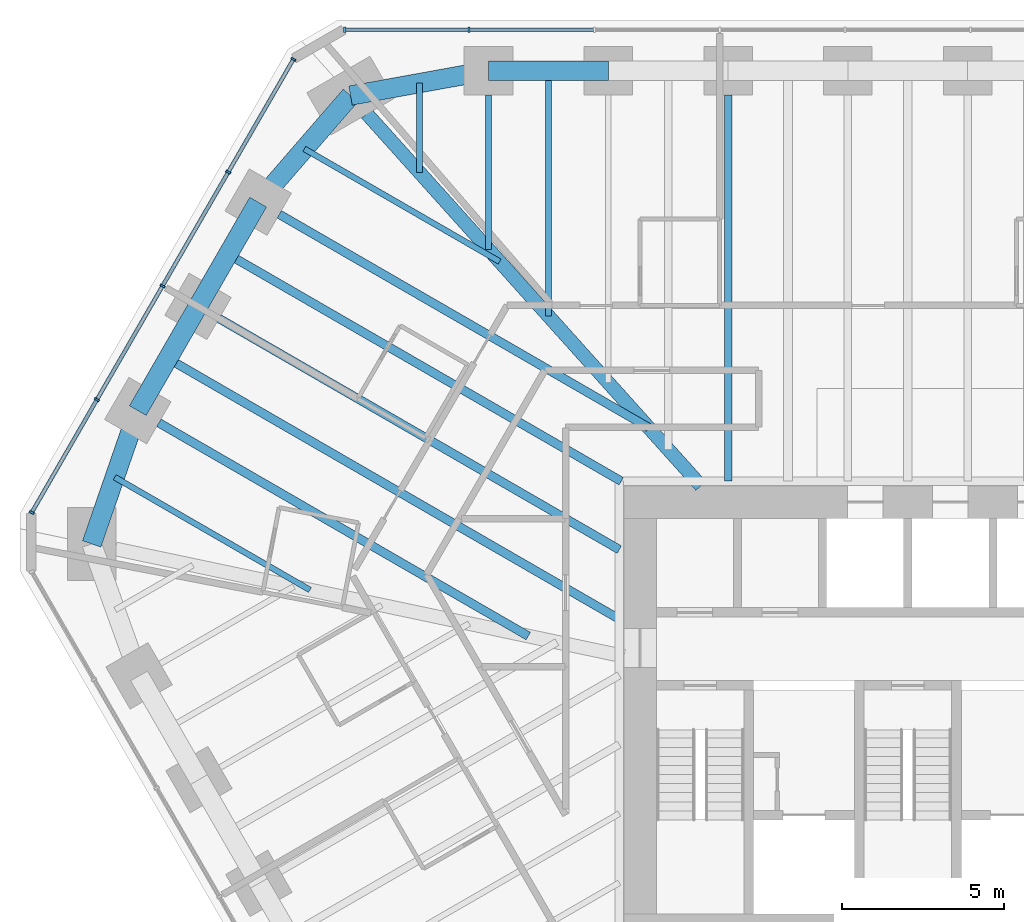
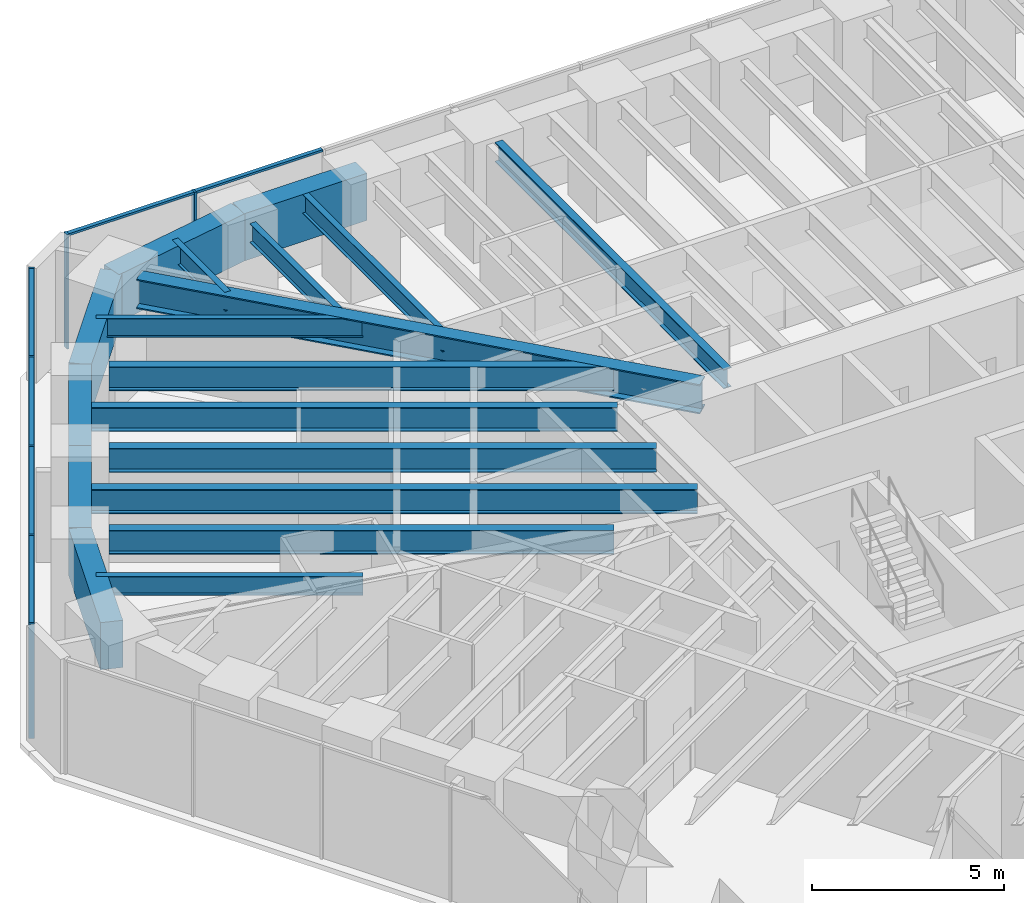
# One storey, part 7 of 17: 18 beams, 13 members, 2 elements without a shape of their own.
"""IFC4 building model written with IfcOpenShell, lengths in metres."""

from ifc_helpers import new_model, si_unit, direction, frame, origin, origin_2d, place, context, subcontext, project, spatial, rectangle, i_section, extrude, material, material_profile, profile_set, type_object, element, aggregate, save


model = new_model("IFC4")

# Units and contexts
model_context = context("Model", 3, precision=1e-05, world=origin(), true_north=direction((0.0, 1.0)))
body_context = subcontext(model_context, "Body", "Model", "MODEL_VIEW")
ifc_project = project(units=[si_unit("LENGTHUNIT", "METRE"), si_unit("AREAUNIT", "SQUARE_METRE"), si_unit("VOLUMEUNIT", "CUBIC_METRE"), si_unit("PLANEANGLEUNIT", "RADIAN"), si_unit("MASSUNIT", "GRAM", prefix="KILO")], contexts=[model_context])

# Site, building, storey
site_placement = place(None, origin())
site = spatial("IfcSite", under=ifc_project, at=site_placement, CompositionType="ELEMENT")
building_placement = place(site_placement, origin())
building = spatial("IfcBuilding", under=site, at=building_placement, Name="Sandreach Pilgrim Tower", CompositionType="ELEMENT")
storey_placement = place(building_placement, frame((0.0, 0.0, 213.60009765625)))
storey = spatial("IfcBuildingStorey", under=building, at=storey_placement, Name="L53", CompositionType="ELEMENT", Elevation=213.60009765625)

# Curtain wall, members
ifc_material_1 = material(Name="Aluminium framed curtain wall", Category="aluminium")
curtain_wall_type = type_object("IfcCurtainWallType", Name="Upper hotel tower curtain wall", PredefinedType="NOTDEFINED", material=ifc_material_1)
curtain_wall_1_placement = place(storey_placement, origin())
curtain_wall_1 = element("IfcCurtainWall", 1, at=curtain_wall_1_placement, inside=storey, type_object=curtain_wall_type, Name="CW-3 L53 N", PredefinedType="NOTDEFINED")
ifc_material_2 = material(Name="Aluminium extrusion", Category="aluminium")
ifc_material_profile_1 = material_profile(ifc_material_2, rectangle(XDim=0.06494140625, YDim=0.159912109375, at=origin_2d()), Name="CW-3M 65X160")
ifc_profile_set_1 = profile_set([ifc_material_profile_1], Name="Aluminium extrusion")
member_type_1 = type_object("IfcMemberType", Name="CW-3 mullion", PredefinedType="MULLION", material=ifc_profile_set_1)
member_1_placement = place(storey_placement, frame((-17.357421875, 21.16015625, 0.0), z_axis=(0.0, 0.0, 1.0), x_axis=(1.0, 0.0, 0.0)))
member_1 = element("IfcMember", 2, at=member_1_placement, type_object=member_type_1, Name="CW-3 mullion 1", PredefinedType="MULLION", context=body_context, shape_type="SweptSolid", body=[
    extrude(rectangle(XDim=0.06494140625, YDim=0.159912109375, at=origin_2d()), origin(), (0.0, 0.0, 1.0), 3.639892578125),
])
member_2_placement = place(storey_placement, frame((-13.525390625, 21.16015625, 0.0), z_axis=(0.0, 0.0, 1.0), x_axis=(1.0, 0.0, 0.0)))
member_2 = element("IfcMember", 3, at=member_2_placement, type_object=member_type_1, Name="CW-3 mullion 2", PredefinedType="MULLION", context=body_context, shape_type="SweptSolid", body=[
    extrude(rectangle(XDim=0.06494140625, YDim=0.159912109375, at=origin_2d()), origin(), (0.0, 0.0, 1.0), 3.639892578125),
])

curtain_wall_2_placement = place(storey_placement, origin())
curtain_wall_2 = element("IfcCurtainWall", 4, at=curtain_wall_2_placement, inside=storey, type_object=curtain_wall_type, Name="CW-3 L53 NW", PredefinedType="NOTDEFINED")
member_3_placement = place(storey_placement, frame((-27.00390625, 6.278076171875, 0.0), z_axis=(0.0, 0.0, 1.0), x_axis=(0.5, 0.866025403784, 0.0)))
member_3 = element("IfcMember", 5, at=member_3_placement, type_object=member_type_1, Name="CW-3 mullion 1", PredefinedType="MULLION", context=body_context, shape_type="SweptSolid", body=[
    extrude(rectangle(XDim=0.06494140625, YDim=0.159912109375, at=origin_2d()), origin(), (0.0, 0.0, 1.0), 3.639892578125),
])
member_4_placement = place(storey_placement, frame((-24.995849609375, 9.75634765625, 0.0), z_axis=(0.0, 0.0, 1.0), x_axis=(0.5, 0.866025403784, 0.0)))
member_4 = element("IfcMember", 6, at=member_4_placement, type_object=member_type_1, Name="CW-3 mullion 2", PredefinedType="MULLION", context=body_context, shape_type="SweptSolid", body=[
    extrude(rectangle(XDim=0.06494140625, YDim=0.159912109375, at=origin_2d()), origin(), (0.0, 0.0, 1.0), 3.639892578125),
])
member_5_placement = place(storey_placement, frame((-22.971435546875, 13.262451171875, 0.0), z_axis=(0.0, 0.0, 1.0), x_axis=(0.5, 0.866025403784, 0.0)))
member_5 = element("IfcMember", 7, at=member_5_placement, type_object=member_type_1, Name="CW-3 mullion 3", PredefinedType="MULLION", context=body_context, shape_type="SweptSolid", body=[
    extrude(rectangle(XDim=0.06494140625, YDim=0.159912109375, at=origin_2d()), origin(), (0.0, 0.0, 1.0), 3.639892578125),
])
member_6_placement = place(storey_placement, frame((-20.947021484375, 16.768798828125, 0.0), z_axis=(0.0, 0.0, 1.0), x_axis=(0.5, 0.866025403784, 0.0)))
member_6 = element("IfcMember", 8, at=member_6_placement, type_object=member_type_1, Name="CW-3 mullion 4", PredefinedType="MULLION", context=body_context, shape_type="SweptSolid", body=[
    extrude(rectangle(XDim=0.06494140625, YDim=0.159912109375, at=origin_2d()), origin(), (0.0, 0.0, 1.0), 3.639892578125),
])
member_7_placement = place(storey_placement, frame((-18.93896484375, 20.2470703125, 0.0), z_axis=(0.0, 0.0, 1.0), x_axis=(0.5, 0.866025403784, 0.0)))
member_7 = element("IfcMember", 9, at=member_7_placement, type_object=member_type_1, Name="CW-3 mullion 5", PredefinedType="MULLION", context=body_context, shape_type="SweptSolid", body=[
    extrude(rectangle(XDim=0.06494140625, YDim=0.159912109375, at=origin_2d()), origin(), (0.0, 0.0, 1.0), 3.639892578125),
])

# Member
ifc_material_3 = material(Name="Aluminium extrusion", Category="aluminium")
ifc_material_profile_2 = material_profile(ifc_material_3, rectangle(XDim=0.1201171875, YDim=0.070068359375, at=origin_2d()), Name="CW-3T 120X70")
ifc_profile_set_2 = profile_set([ifc_material_profile_2], Name="Aluminium extrusion")
member_type_2 = type_object("IfcMemberType", Name="CW-3 transom", PredefinedType="USERDEFINED", material=ifc_profile_set_2)
member_8_placement = place(storey_placement, frame((-17.324951171875, 21.16015625, 3.60498046875), z_axis=(1.0, 0.0, 0.0), x_axis=(0.0, 1.0, 0.0)))
member_8 = element("IfcMember", 10, at=member_8_placement, type_object=member_type_2, Name="CW-3 head transom 1", ObjectType="TRANSOM", PredefinedType="USERDEFINED", context=body_context, shape_type="SweptSolid", body=[
    extrude(rectangle(XDim=0.1201171875, YDim=0.070068359375, at=origin_2d()), origin(), (0.0, 0.0, 1.0), 3.76708984375),
])

member_9_placement = place(storey_placement, frame((-13.492919921875, 21.16015625, 3.60498046875), z_axis=(1.0, 0.0, 0.0), x_axis=(0.0, 1.0, 0.0)))
member_9 = element("IfcMember", 11, at=member_9_placement, type_object=member_type_2, Name="CW-3 head transom 2", ObjectType="TRANSOM", PredefinedType="USERDEFINED", context=body_context, shape_type="SweptSolid", body=[
    extrude(rectangle(XDim=0.1201171875, YDim=0.070068359375, at=origin_2d()), origin(), (0.0, 0.0, 1.0), 3.79931640625),
])

aggregate(curtain_wall_1, [member_1, member_2, member_8, member_9])

member_10_placement = place(storey_placement, frame((-26.987548828125, 6.306396484375, 3.60498046875), z_axis=(0.499993448556, 0.866029186229, 0.0), x_axis=(-0.866029186229, 0.499993448556, 0.0)))
member_10 = element("IfcMember", 12, at=member_10_placement, type_object=member_type_2, Name="CW-3 head transom 1", ObjectType="TRANSOM", PredefinedType="USERDEFINED", context=body_context, shape_type="SweptSolid", body=[
    extrude(rectangle(XDim=0.1201171875, YDim=0.070068359375, at=origin_2d()), origin(), (0.0, 0.0, 1.0), 3.951171875),
])

member_11_placement = place(storey_placement, frame((-24.9794921875, 9.784423828125, 3.60498046875), z_axis=(0.499975332564, 0.866039645067, 0.0), x_axis=(-0.866039645067, 0.499975332564, 0.0)))
member_11 = element("IfcMember", 13, at=member_11_placement, type_object=member_type_2, Name="CW-3 head transom 2", ObjectType="TRANSOM", PredefinedType="USERDEFINED", context=body_context, shape_type="SweptSolid", body=[
    extrude(rectangle(XDim=0.1201171875, YDim=0.070068359375, at=origin_2d()), origin(), (0.0, 0.0, 1.0), 3.983642578125),
])

member_12_placement = place(storey_placement, frame((-22.955078125, 13.290771484375, 3.60498046875), z_axis=(0.499975332564, 0.866039645067, 0.0), x_axis=(-0.866039645067, 0.499975332564, 0.0)))
member_12 = element("IfcMember", 14, at=member_12_placement, type_object=member_type_2, Name="CW-3 head transom 3", ObjectType="TRANSOM", PredefinedType="USERDEFINED", context=body_context, shape_type="SweptSolid", body=[
    extrude(rectangle(XDim=0.1201171875, YDim=0.070068359375, at=origin_2d()), origin(), (0.0, 0.0, 1.0), 3.983642578125),
])

member_13_placement = place(storey_placement, frame((-20.930908203125, 16.796875, 3.60498046875), z_axis=(0.499993448556, 0.866029186229, 0.0), x_axis=(-0.866029186229, 0.499993448556, 0.0)))
member_13 = element("IfcMember", 15, at=member_13_placement, type_object=member_type_2, Name="CW-3 head transom 4", ObjectType="TRANSOM", PredefinedType="USERDEFINED", context=body_context, shape_type="SweptSolid", body=[
    extrude(rectangle(XDim=0.1201171875, YDim=0.070068359375, at=origin_2d()), origin(), (0.0, 0.0, 1.0), 3.951171875),
])

aggregate(curtain_wall_2, [member_3, member_4, member_5, member_6, member_7, member_10, member_11, member_12, member_13])

# Beams
ifc_material_4 = material(Name="Steel ASTM A992 Grade 50", Category="steel")
ifc_material_profile_3 = material_profile(ifc_material_4, i_section(OverallWidth=0.421630859375, OverallDepth=0.937255859375, WebThickness=0.0224609375, FlangeThickness=0.039794921875, at=origin_2d()), Name="W36X282")
ifc_profile_set_3 = profile_set([ifc_material_profile_3], Name="Steel ASTM A992 Grade 50")
beam_type_1 = type_object("IfcBeamType", Name="Corner girder W36X282", PredefinedType="BEAM", material=ifc_profile_set_3)
beam_1_placement = place(storey_placement, frame((-16.677001953125, 18.572509765625, 3.17138671875), z_axis=(0.668116607722, -0.744056582853, 0.0), x_axis=(0.744056582853, 0.668116607722, 0.0)))
element("IfcBeam", 16, at=beam_1_placement, inside=storey, type_object=beam_type_1, Name="BM L53 CG39", PredefinedType="BEAM", context=body_context, shape_type="SweptSolid", body=[
    extrude(i_section(OverallWidth=0.421630859375, OverallDepth=0.937255859375, WebThickness=0.0224609375, FlangeThickness=0.039794921875, at=origin_2d()), origin(), (0.0, 0.0, 1.0), 15.418701171875),
])
ifc_material_5 = material(Name="Steel ASTM A992 Grade 50", Category="steel")
ifc_material_profile_4 = material_profile(ifc_material_5, i_section(OverallWidth=0.1787109375, OverallDepth=0.60205078125, WebThickness=0.010986328125, FlangeThickness=0.014892578125, at=origin_2d()), Name="W24X62")
ifc_profile_set_4 = profile_set([ifc_material_profile_4], Name="Steel ASTM A992 Grade 50")
beam_type_2 = type_object("IfcBeamType", Name="Floor beam W24X62", PredefinedType="BEAM", material=ifc_profile_set_4)
beam_2_placement = place(storey_placement, frame((-12.923828125, 19.150146484375, 3.3388671875), z_axis=(0.0, -1.0, 0.0), x_axis=(1.0, 0.0, 0.0)))
element("IfcBeam", 17, at=beam_2_placement, inside=storey, type_object=beam_type_2, Name="BM L53 F01", PredefinedType="BEAM", context=body_context, shape_type="SweptSolid", body=[
    extrude(i_section(OverallWidth=0.1787109375, OverallDepth=0.60205078125, WebThickness=0.010986328125, FlangeThickness=0.014892578125, at=origin_2d()), origin(), (0.0, 0.0, 1.0), 4.757568359375),
])
beam_3_placement = place(storey_placement, frame((-11.077392578125, 19.900146484375, 3.3388671875), z_axis=(0.0, -1.0, 0.0), x_axis=(1.0, 0.0, 0.0)))
element("IfcBeam", 18, at=beam_3_placement, inside=storey, type_object=beam_type_2, Name="BM L53 FM01", PredefinedType="BEAM", context=body_context, shape_type="SweptSolid", body=[
    extrude(i_section(OverallWidth=0.1787109375, OverallDepth=0.60205078125, WebThickness=0.010986328125, FlangeThickness=0.014892578125, at=origin_2d()), origin(), (0.0, 0.0, 1.0), 7.563720703125),
])
for number, where, z_axis, x_axis, name in (
    (19, (-24.446044921875, 7.365234375, 3.3388671875), (0.866029381593, -0.499993110171, 0.0), (0.499993110171, 0.866029381593, 0.0), "BM L53 FM35"),
    (20, (-18.6015625, 17.48828125, 3.3388671875), (0.866029381593, -0.499993110171, 0.0), (0.499993110171, 0.866029381593, 0.0), "BM L53 FM38"),
):
    element("IfcBeam", number, at=place(storey_placement, frame(where, z_axis=z_axis, x_axis=x_axis)), inside=storey, type_object=beam_type_2, Name=name, PredefinedType="BEAM", context=body_context, shape_type="SweptSolid", body=[
        extrude(i_section(OverallWidth=0.1787109375, OverallDepth=0.60205078125, WebThickness=0.010986328125, FlangeThickness=0.014892578125, at=origin_2d()), origin(), (0.0, 0.0, 1.0), 6.94921875),
    ])
beam_4_placement = place(storey_placement, frame((-15.05078125, 19.515380859375, 3.3388671875), z_axis=(0.0, -1.0, 0.0), x_axis=(1.0, 0.0, 0.0)))
element("IfcBeam", 21, at=beam_4_placement, inside=storey, type_object=beam_type_2, Name="BM L53 FM39", PredefinedType="BEAM", context=body_context, shape_type="SweptSolid", body=[
    extrude(i_section(OverallWidth=0.1787109375, OverallDepth=0.60205078125, WebThickness=0.010986328125, FlangeThickness=0.014892578125, at=origin_2d()), origin(), (0.0, 0.0, 1.0), 2.75390625),
])
ifc_material_6 = material(Name="Steel ASTM A992 Grade 50", Category="steel")
ifc_material_profile_5 = material_profile(ifc_material_6, i_section(OverallWidth=0.23046875, OverallDepth=0.6171875, WebThickness=0.01318359375, FlangeThickness=0.022216796875, at=origin_2d()), Name="W24X94")
ifc_profile_set_5 = profile_set([ifc_material_profile_5], Name="Steel ASTM A992 Grade 50")
beam_type_3 = type_object("IfcBeamType", Name="Floor beam W24X94", PredefinedType="BEAM", material=ifc_profile_set_5)
beam_5_placement = place(storey_placement, frame((-5.538818359375, 19.150146484375, 3.331298828125), z_axis=(0.0, -1.0, 0.0), x_axis=(1.0, 0.0, 0.0)))
element("IfcBeam", 22, at=beam_5_placement, inside=storey, type_object=beam_type_3, Name="BM L53 F03", PredefinedType="BEAM", context=body_context, shape_type="SweptSolid", body=[
    extrude(i_section(OverallWidth=0.23046875, OverallDepth=0.6171875, WebThickness=0.01318359375, FlangeThickness=0.022216796875, at=origin_2d()), origin(), (0.0, 0.0, 1.0), 11.90673828125),
])
ifc_material_7 = material(Name="Steel ASTM A992 Grade 50", Category="steel")
ifc_material_profile_6 = material_profile(ifc_material_7, i_section(OverallWidth=0.2666015625, OverallDepth=0.761962890625, WebThickness=0.014404296875, FlangeThickness=0.021484375, at=origin_2d()), Name="W30X116")
ifc_profile_set_6 = profile_set([ifc_material_profile_6], Name="Steel ASTM A992 Grade 50")
beam_type_4 = type_object("IfcBeamType", Name="Floor beam W30X116", PredefinedType="BEAM", material=ifc_profile_set_6)
beam_6_placement = place(storey_placement, frame((-23.0859375, 9.044189453125, 3.2587890625), z_axis=(0.866026962808, -0.499997299682, 0.0), x_axis=(0.499997299682, 0.866026962808, 0.0)))
element("IfcBeam", 23, at=beam_6_placement, inside=storey, type_object=beam_type_4, Name="BM L53 F36", PredefinedType="BEAM", context=body_context, shape_type="SweptSolid", body=[
    extrude(i_section(OverallWidth=0.2666015625, OverallDepth=0.761962890625, WebThickness=0.014404296875, FlangeThickness=0.021484375, at=origin_2d()), origin(), (0.0, 0.0, 1.0), 13.1484375),
])
beam_7_placement = place(storey_placement, frame((-21.230712890625, 12.257568359375, 3.2587890625), z_axis=(0.866024056942, -0.500002332792, 0.0), x_axis=(0.500002332792, 0.866024056942, 0.0)))
element("IfcBeam", 24, at=beam_7_placement, inside=storey, type_object=beam_type_4, Name="BM L53 F37", PredefinedType="BEAM", context=body_context, shape_type="SweptSolid", body=[
    extrude(i_section(OverallWidth=0.2666015625, OverallDepth=0.761962890625, WebThickness=0.014404296875, FlangeThickness=0.021484375, at=origin_2d()), origin(), (0.0, 0.0, 1.0), 14.24609375),
])
beam_8_placement = place(storey_placement, frame((-19.37548828125, 15.470947265625, 3.2587890625), z_axis=(0.866022320763, -0.500005339912, 0.0), x_axis=(0.500005339912, 0.866022320763, 0.0)))
element("IfcBeam", 25, at=beam_8_placement, inside=storey, type_object=beam_type_4, Name="BM L53 F38", PredefinedType="BEAM", context=body_context, shape_type="SweptSolid", body=[
    extrude(i_section(OverallWidth=0.2666015625, OverallDepth=0.761962890625, WebThickness=0.014404296875, FlangeThickness=0.021484375, at=origin_2d()), origin(), (0.0, 0.0, 1.0), 13.148193359375),
])
beam_9_placement = place(storey_placement, frame((-20.95263671875, 14.2392578125, 3.2587890625), z_axis=(0.866025770688, -0.499999364504, 0.0), x_axis=(0.499999364504, 0.866025770688, 0.0)))
element("IfcBeam", 26, at=beam_9_placement, inside=storey, type_object=beam_type_4, Name="BM L53 FM37", PredefinedType="BEAM", context=body_context, shape_type="SweptSolid", body=[
    extrude(i_section(OverallWidth=0.2666015625, OverallDepth=0.761962890625, WebThickness=0.014404296875, FlangeThickness=0.021484375, at=origin_2d()), origin(), (0.0, 0.0, 1.0), 13.99169921875),
])
ifc_material_8 = material(Name="Steel ASTM A992 Grade 50", Category="steel")
ifc_material_profile_7 = material_profile(ifc_material_8, i_section(OverallWidth=0.2666015625, OverallDepth=0.77978515625, WebThickness=0.0166015625, FlangeThickness=0.030029296875, at=origin_2d()), Name="W30X148")
ifc_profile_set_7 = profile_set([ifc_material_profile_7], Name="Steel ASTM A992 Grade 50")
beam_type_5 = type_object("IfcBeamType", Name="Floor beam W30X148", PredefinedType="BEAM", material=ifc_profile_set_7)
beam_10_placement = place(storey_placement, frame((-22.807861328125, 11.02587890625, 3.25), z_axis=(0.866028701771, -0.499994287676, 0.0), x_axis=(0.499994287676, 0.866028701771, 0.0)))
element("IfcBeam", 27, at=beam_10_placement, inside=storey, type_object=beam_type_5, Name="BM L53 FM36", PredefinedType="BEAM", context=body_context, shape_type="SweptSolid", body=[
    extrude(i_section(OverallWidth=0.2666015625, OverallDepth=0.77978515625, WebThickness=0.0166015625, FlangeThickness=0.030029296875, at=origin_2d()), origin(), (0.0, 0.0, 1.0), 16.067138671875),
])
ifc_material_9 = material(Name="Concrete 10000 psi", Category="concrete")
ifc_material_profile_8 = material_profile(ifc_material_9, rectangle(XDim=0.60009765625, YDim=1.5, at=origin_2d()), Name="RC600X1500")
ifc_profile_set_8 = profile_set([ifc_material_profile_8], Name="Concrete 10000 psi")
beam_type_6 = type_object("IfcBeamType", Name="Spandrel beam RC600X1500", PredefinedType="SPANDREL", material=ifc_profile_set_8)
beam_11_placement = place(storey_placement, frame((-12.923828125, 19.900146484375, 2.889892578125), z_axis=(1.0, 0.0, 0.0), x_axis=(0.0, 1.0, 0.0)))
element("IfcBeam", 28, at=beam_11_placement, inside=storey, type_object=beam_type_6, Name="BM L53 SP01", PredefinedType="SPANDREL", context=body_context, shape_type="SweptSolid", body=[
    extrude(rectangle(XDim=0.60009765625, YDim=1.5, at=origin_2d()), origin(), (0.0, 0.0, 1.0), 3.692626953125),
])
beam_12_placement = place(storey_placement, frame((-25.156494140625, 5.311279296875, 2.889892578125), z_axis=(0.326940800053, 0.945044820768, 0.0), x_axis=(-0.945044820768, 0.326940800053, 0.0)))
element("IfcBeam", 29, at=beam_12_placement, inside=storey, type_object=beam_type_6, Name="BM L53 SP35", PredefinedType="SPANDREL", context=body_context, shape_type="SweptSolid", body=[
    extrude(rectangle(XDim=0.60009765625, YDim=1.5, at=origin_2d()), origin(), (0.0, 0.0, 1.0), 4.3466796875),
])
for number, where, z_axis, x_axis, name in (
    (30, (-23.7353515625, 9.419189453125, 2.889892578125), (0.499946491854, 0.866056294523, 0.0), (-0.866056294523, 0.499946491854, 0.0), "BM L53 SP36"),
    (31, (-21.88037109375, 12.632568359375, 2.889892578125), (0.499995842751, 0.86602780396, 0.0), (-0.86602780396, 0.499995842751, 0.0), "BM L53 SP37"),
):
    element("IfcBeam", number, at=place(storey_placement, frame(where, z_axis=z_axis, x_axis=x_axis)), inside=storey, type_object=beam_type_6, Name=name, PredefinedType="SPANDREL", context=body_context, shape_type="SweptSolid", body=[
        extrude(rectangle(XDim=0.60009765625, YDim=1.5, at=origin_2d()), origin(), (0.0, 0.0, 1.0), 3.71044921875),
    ])
beam_13_placement = place(storey_placement, frame((-20.025146484375, 15.845947265625, 2.889892578125), z_axis=(0.65499040715, 0.755637192402, 0.0), x_axis=(-0.755637192402, 0.65499040715, 0.0)))
element("IfcBeam", 32, at=beam_13_placement, inside=storey, type_object=beam_type_6, Name="BM L53 SP38", PredefinedType="SPANDREL", context=body_context, shape_type="SweptSolid", body=[
    extrude(rectangle(XDim=0.60009765625, YDim=1.5, at=origin_2d()), origin(), (0.0, 0.0, 1.0), 4.346923828125),
])
beam_14_placement = place(storey_placement, frame((-17.177978515625, 19.130615234375, 2.889892578125), z_axis=(0.984030345637, 0.178000783326, 0.0), x_axis=(-0.178000783326, 0.984030345637, 0.0)))
element("IfcBeam", 33, at=beam_14_placement, inside=storey, type_object=beam_type_6, Name="BM L53 SP39", PredefinedType="SPANDREL", context=body_context, shape_type="SweptSolid", body=[
    extrude(rectangle(XDim=0.60009765625, YDim=1.5, at=origin_2d()), origin(), (0.0, 0.0, 1.0), 4.3232421875),
])

save(model, "model.ifc")
